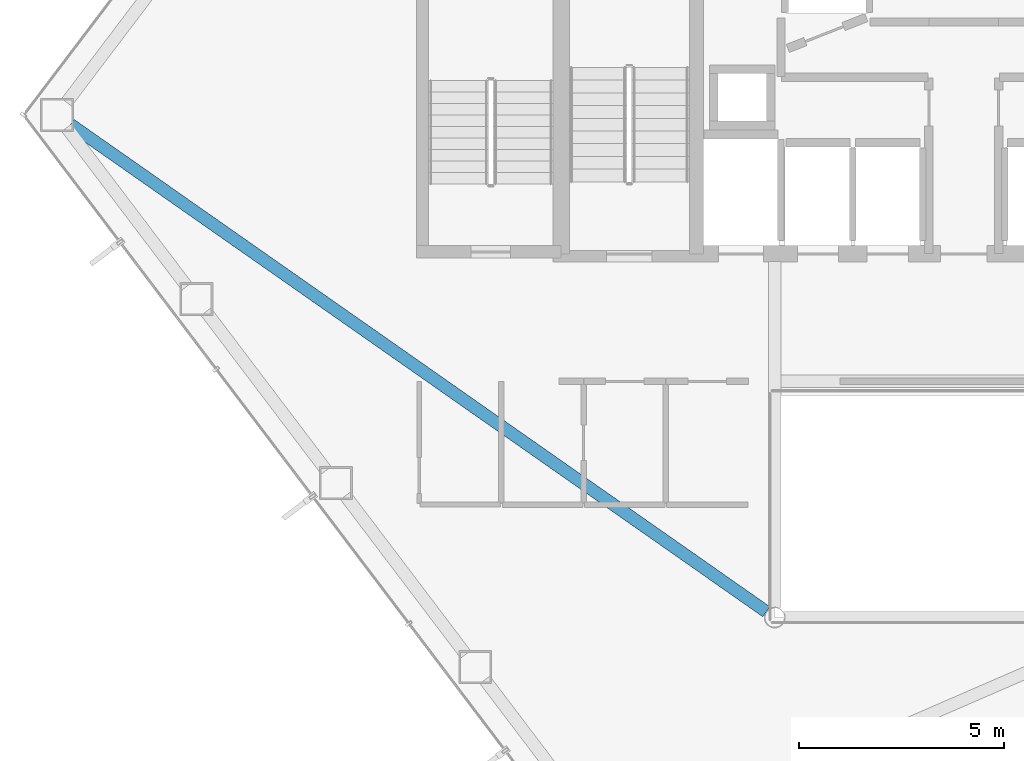
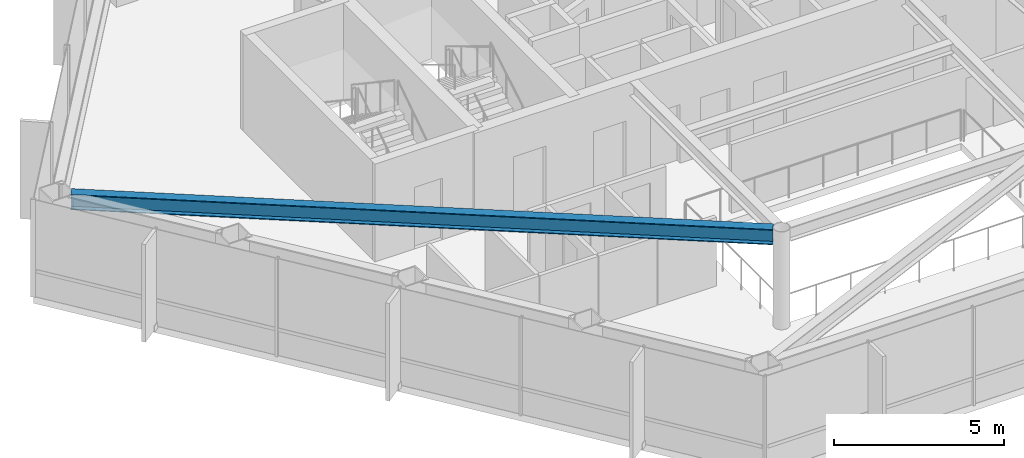
# One storey, part 5 of 28: 1 beam.
"""IFC4 building model written with IfcOpenShell, lengths in metres."""

from ifc_helpers import new_model, si_unit, direction, frame, origin, origin_2d, place, context, subcontext, project, spatial, i_section, extrude, material, material_profile, profile_set, type_object, element, save


model = new_model("IFC4")

# Units and contexts
model_context = context("Model", 3, precision=1e-05, world=origin(), true_north=direction((0.0, 1.0)))
body_context = subcontext(model_context, "Body", "Model", "MODEL_VIEW")
ifc_project = project(units=[si_unit("LENGTHUNIT", "METRE"), si_unit("AREAUNIT", "SQUARE_METRE"), si_unit("VOLUMEUNIT", "CUBIC_METRE"), si_unit("PLANEANGLEUNIT", "RADIAN"), si_unit("MASSUNIT", "GRAM", prefix="KILO")], contexts=[model_context])

# Site, building, storey
site_placement = place(None, origin())
site = spatial("IfcSite", under=ifc_project, at=site_placement, CompositionType="ELEMENT")
building_placement = place(site_placement, origin())
building = spatial("IfcBuilding", under=site, at=building_placement, Name="Zarrinselat Tower", CompositionType="ELEMENT")
storey_placement = place(building_placement, frame((0.0, 0.0, 123.419921875)))
storey = spatial("IfcBuildingStorey", under=building, at=storey_placement, Name="L29", CompositionType="ELEMENT", Elevation=123.419921875)

# Beam
ifc_material = material(Name="Steel S355J2", Category="steel")
ifc_material_profile = material_profile(ifc_material, i_section(OverallWidth=0.300048828125, OverallDepth=0.550048828125, WebThickness=0.014892578125, FlangeThickness=0.029052734375, at=origin_2d()), Name="HEB 550")
ifc_profile_set = profile_set([ifc_material_profile], Name="Steel S355J2")
beam_type = type_object("IfcBeamType", Name="BM-HEB550", PredefinedType="BEAM", material=ifc_profile_set)
beam_placement = place(storey_placement, frame((16.664306640625, 36.398193359375, 3.22509765625), z_axis=(0.819161437758, -0.573563020854, 0.0), x_axis=(0.573563020854, 0.819161437758, 0.0)))
element("IfcBeam", 1, at=beam_placement, inside=storey, type_object=beam_type, Name="L29 Radial Primary Girder RG06", PredefinedType="BEAM", context=body_context, shape_type="SweptSolid", body=[
    extrude(i_section(OverallWidth=0.300048828125, OverallDepth=0.550048828125, WebThickness=0.014892578125, FlangeThickness=0.029052734375, at=origin_2d()), origin(), (0.0, 0.0, 1.0), 20.668701171875),
])

save(model, "model.ifc")
